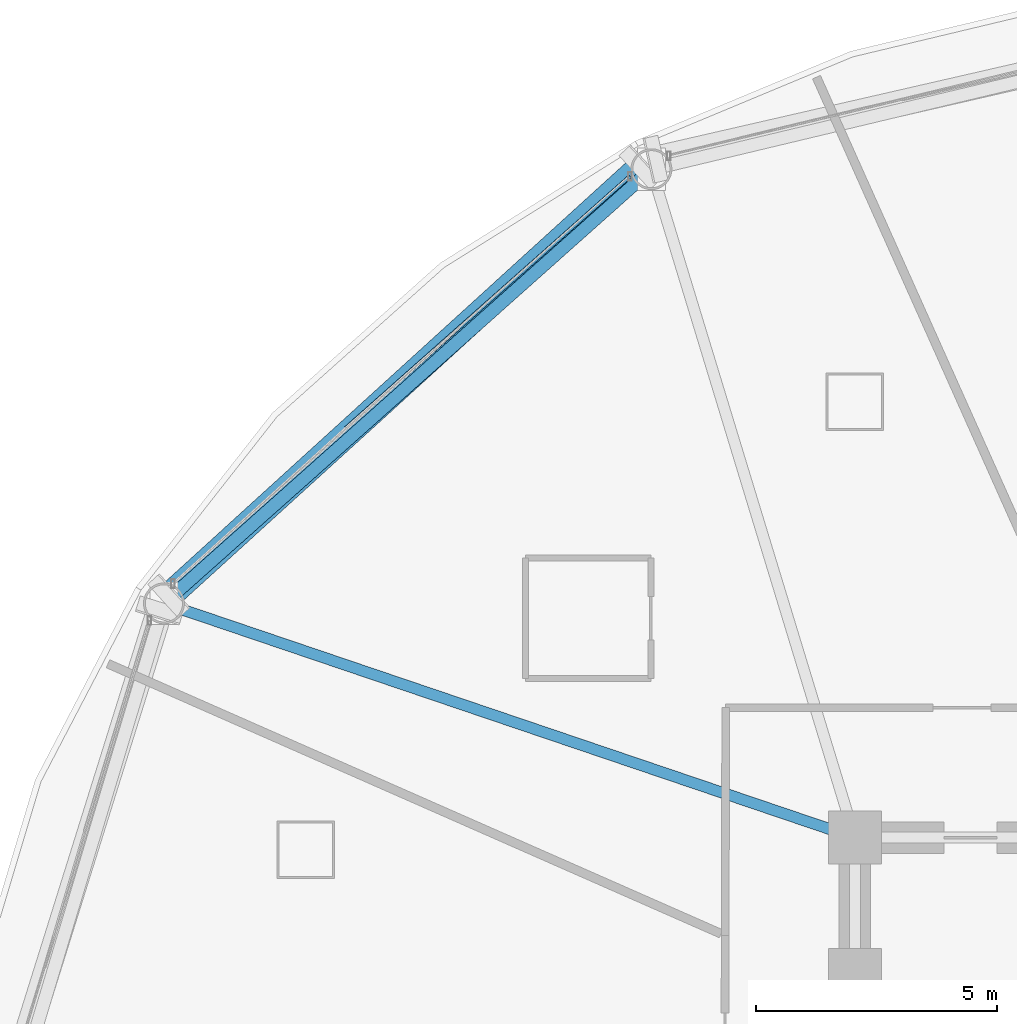
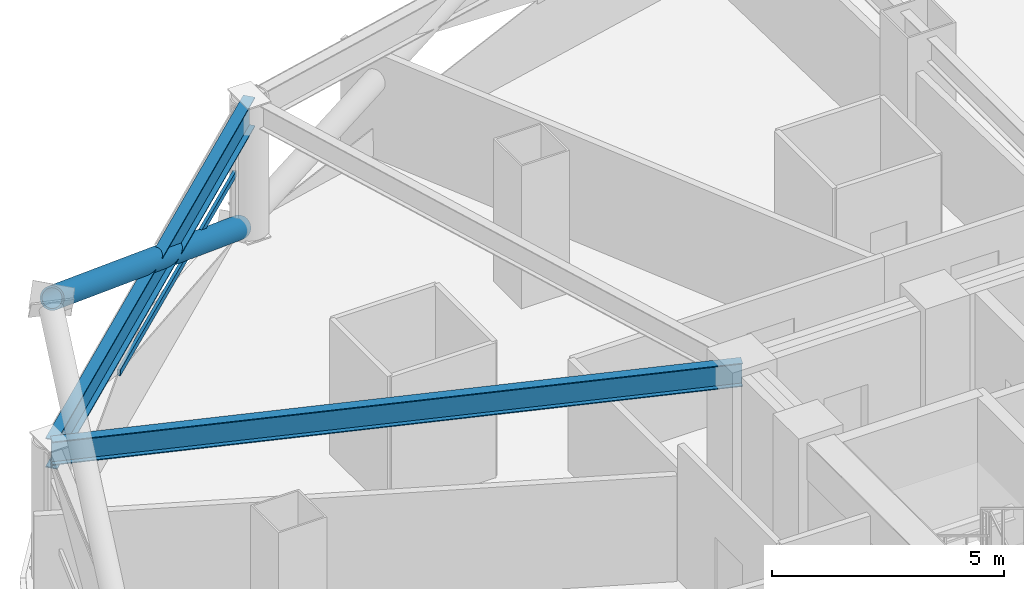
# One storey, part 14 of 33: 2 beams, 2 members, 1 element without a shape of its own.
"""IFC4 building model written with IfcOpenShell, lengths in metres."""

from ifc_helpers import new_model, si_unit, direction, frame, origin, origin_2d, place, context, subcontext, project, spatial, hollow_rectangle, hollow_circle, i_section, extrude, material, layer, layer_set, material_profile, profile_set, type_object, element, aggregate, save


model = new_model("IFC4")

# Units and contexts
model_context = context("Model", 3, precision=1e-05, world=origin(), true_north=direction((0.0, 1.0)))
body_context = subcontext(model_context, "Body", "Model", "MODEL_VIEW")
ifc_project = project(units=[si_unit("LENGTHUNIT", "METRE"), si_unit("AREAUNIT", "SQUARE_METRE"), si_unit("VOLUMEUNIT", "CUBIC_METRE"), si_unit("PLANEANGLEUNIT", "RADIAN"), si_unit("MASSUNIT", "GRAM", prefix="KILO")], contexts=[model_context])

# Site, building, storey
site_placement = place(None, origin())
site = spatial("IfcSite", under=ifc_project, at=site_placement, CompositionType="ELEMENT")
building_placement = place(site_placement, origin())
building = spatial("IfcBuilding", under=site, at=building_placement, Name="Vantalir Tower", CompositionType="ELEMENT")
storey_placement = place(building_placement, frame((0.0, 0.0, 72.0)))
storey = spatial("IfcBuildingStorey", under=building, at=storey_placement, Name="L17", CompositionType="ELEMENT", Elevation=72.0)

# Beams
ifc_material_1 = material(Name="Steel S355", Category="steel")
ifc_material_profile_1 = material_profile(ifc_material_1, i_section(OverallWidth=0.22998046875, OverallDepth=0.616943359375, WebThickness=0.01318359375, FlangeThickness=0.022216796875, at=origin_2d()), Name="Steel S355")
ifc_profile_set_1 = profile_set([ifc_material_profile_1], Name="Steel S355")
beam_type_1 = type_object("IfcBeamType", Name="BM-RB-610x229", PredefinedType="BEAM", material=ifc_profile_set_1)
beam_1_placement = place(storey_placement, frame((7.553955078125, 37.31396484375, 3.261962890625), z_axis=(0.947046193485, -0.321097348799, 0.0), x_axis=(0.321097348799, 0.947046193485, 0.0)))
element("IfcBeam", 1, at=beam_1_placement, inside=storey, type_object=beam_type_1, Name="L17 Radial Floor Beam 06", PredefinedType="BEAM", context=body_context, shape_type="SweptSolid", body=[
    extrude(i_section(OverallWidth=0.22998046875, OverallDepth=0.616943359375, WebThickness=0.01318359375, FlangeThickness=0.022216796875, at=origin_2d()), origin(), (0.0, 0.0, 1.0), 15.148193359375),
])
ifc_material_2 = material(Name="Steel S460", Category="steel")
ifc_material_profile_2 = material_profile(ifc_material_2, i_section(OverallWidth=0.26806640625, OverallDepth=0.77001953125, WebThickness=0.015625, FlangeThickness=0.025390625, at=origin_2d()), Name="Steel S460")
ifc_profile_set_2 = profile_set([ifc_material_profile_2], Name="Steel S460")
beam_type_2 = type_object("IfcBeamType", Name="BM-RG-762x267", PredefinedType="USERDEFINED", material=ifc_profile_set_2)
beam_2_placement = place(storey_placement, frame((17.675048828125, 46.3291015625, 3.18505859375), z_axis=(-0.746727182206, -0.665130449878, 0.0), x_axis=(0.665130449878, -0.746727182206, 0.0)))
element("IfcBeam", 2, at=beam_2_placement, inside=storey, type_object=beam_type_2, Name="L17 Circumferential Ring Girder 05", ObjectType="GIRDER", PredefinedType="USERDEFINED", context=body_context, shape_type="SweptSolid", body=[
    extrude(i_section(OverallWidth=0.26806640625, OverallDepth=0.77001953125, WebThickness=0.015625, FlangeThickness=0.025390625, at=origin_2d()), origin(), (0.0, 0.0, 1.0), 13.553955078125),
])

# Curtain wall, member
ifc_material_3 = material(Name="Champagne-silver PVDF aluminium and double-silver Low-E glass", Category="aluminium")
ifc_layer = layer(ifc_material_3, 0.18994140625)
ifc_layer_set = layer_set([ifc_layer], Name="Champagne-silver PVDF aluminium and double-silver Low-E glass")
curtain_wall_type = type_object("IfcCurtainWallType", Name="CW-DIAMOND-Z1", PredefinedType="USERDEFINED", material=ifc_layer_set)
curtain_wall_placement = place(storey_placement, origin())
curtain_wall = element("IfcCurtainWall", 3, at=curtain_wall_placement, inside=storey, type_object=curtain_wall_type, Name="L17 Quilted Pyramid-Diamond Curtain Wall S05", ObjectType="UNITISED CURTAIN WALL", PredefinedType="USERDEFINED")
ifc_material_4 = material(Name="Champagne-silver PVDF aluminium 6063-T6", Category="aluminium")
ifc_material_profile_3 = material_profile(ifc_material_4, hollow_rectangle(XDim=0.074951171875, YDim=0.159912109375, WallThickness=0.00390625, at=origin_2d()), Name="Champagne-silver PVDF aluminium 6063-T6")
ifc_profile_set_3 = profile_set([ifc_material_profile_3], Name="Champagne-silver PVDF aluminium 6063-T6")
member_type_1 = type_object("IfcMemberType", Name="CWT-160x75", PredefinedType="USERDEFINED", material=ifc_profile_set_3)
member_1_placement = place(storey_placement, frame((17.22900390625, 46.180908203125, 1.784912109375), z_axis=(-0.748382217103, -0.663267711504, 0.0), x_axis=(0.663267711504, -0.748382217103, 0.0)))
member_1 = element("IfcMember", 4, at=member_1_placement, type_object=member_type_1, Name="CW-L17-S05 Pyramid Fold Ridge Transom", ObjectType="TRANSOM", PredefinedType="USERDEFINED", context=body_context, shape_type="SweptSolid", body=[
    extrude(hollow_rectangle(XDim=0.074951171875, YDim=0.159912109375, WallThickness=0.00390625, at=origin_2d()), origin(), (0.0, 0.0, 1.0), 7.88525390625),
])
aggregate(curtain_wall, [member_1])

# Member
ifc_material_profile_4 = material_profile(ifc_material_2, hollow_circle(Radius=0.27001953125, WallThickness=0.044921875, at=origin_2d()), Name="Steel S460")
ifc_profile_set_4 = profile_set([ifc_material_profile_4], Name="Steel S460")
member_type_2 = type_object("IfcMemberType", Name="MEM-DB-540x45", PredefinedType="BRACE", material=ifc_profile_set_4)
member_2_placement = place(storey_placement, frame((17.43603515625, 46.363037109375, 0.181884765625), z_axis=(-0.654507849006, -0.595444181625, 0.46590310383), x_axis=(0.672943180865, -0.739694176891, 0.0)))
element("IfcMember", 5, at=member_2_placement, inside=storey, type_object=member_type_2, Name="L17 Perimeter S460 Diagrid Brace R13L", PredefinedType="BRACE", context=body_context, shape_type="SweptSolid", body=[
    extrude(hollow_circle(Radius=0.27001953125, WallThickness=0.044921875, at=origin_2d()), origin(), (0.0, 0.0, 1.0), 14.93017578125),
])

save(model, "model.ifc")
